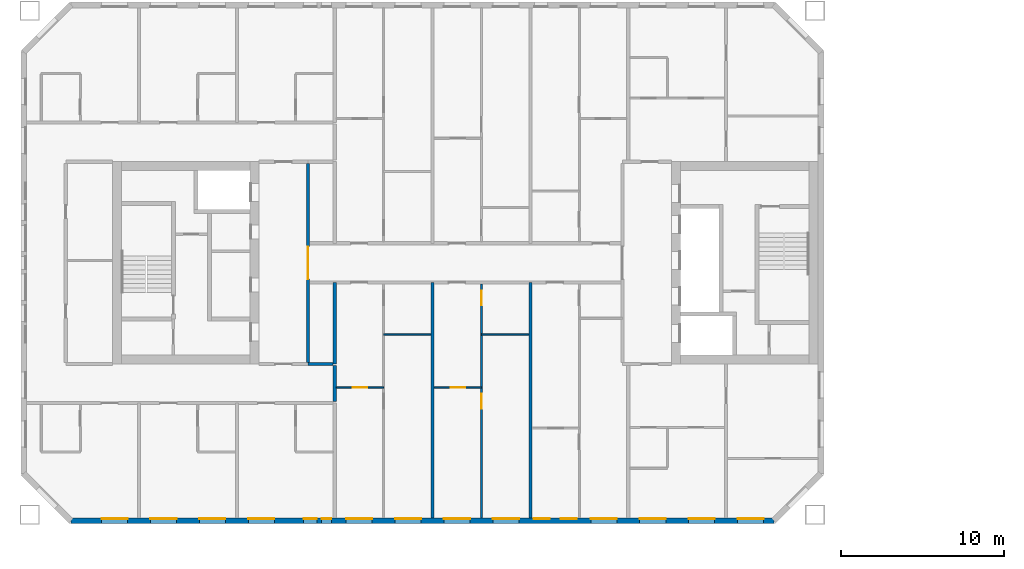
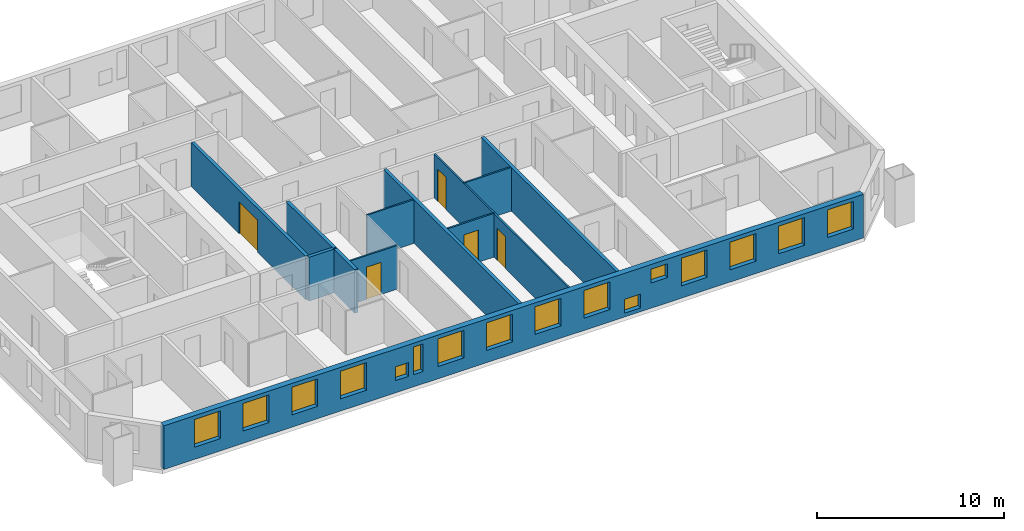
# One storey, part 4 of 16: 16 windows, 12 walls, 5 doors, 21 openings.
"""IFC4 building model written with IfcOpenShell, lengths in metres."""

from ifc_helpers import new_model, si_unit, direction, frame, frame_2d, origin, place, context, subcontext, project, spatial, rectangle, extrude, material, layer, layer_set, type_object, element, fill, save


model = new_model("IFC4")

# Units and contexts
model_context = context("Model", 3, precision=1e-05, world=origin(), true_north=direction((0.0, 1.0)))
body_context = subcontext(model_context, "Body", "Model", "MODEL_VIEW")
ifc_project = project(units=[si_unit("LENGTHUNIT", "METRE"), si_unit("AREAUNIT", "SQUARE_METRE"), si_unit("VOLUMEUNIT", "CUBIC_METRE"), si_unit("PLANEANGLEUNIT", "RADIAN"), si_unit("MASSUNIT", "GRAM", prefix="KILO")], contexts=[model_context])

# Site, building, storey
site_placement = place(None, origin())
site = spatial("IfcSite", under=ifc_project, at=site_placement, CompositionType="ELEMENT")
building_placement = place(site_placement, origin())
building = spatial("IfcBuilding", under=site, at=building_placement, Name="Tuart Gate Housing", CompositionType="ELEMENT")
storey_placement = place(building_placement, frame((0.0, 0.0, 133.0)))
storey = spatial("IfcBuildingStorey", under=building, at=storey_placement, Name="L37", CompositionType="ELEMENT", Elevation=133.0)

# Wall, openings, windows
ifc_material_1 = material(Name="Brick", Category="masonry")
ifc_layer_1 = layer(ifc_material_1, 0.360107421875)
ifc_layer_set_1 = layer_set([ifc_layer_1], Name="Brick pier and spandrel wall 360")
wall_type_1 = type_object("IfcWallType", Name="Brick pier and spandrel wall 360", PredefinedType="STANDARD", material=ifc_layer_set_1)
wall_1_placement = place(storey_placement, frame((29.82470703125, 54.179931640625, 0.0), z_axis=(0.0, 0.0, 1.0), x_axis=(1.0, 0.0, 0.0)))
wall_1 = element("IfcWall", 1, at=wall_1_placement, inside=storey, type_object=wall_type_1, Name="External wall A-S L37", PredefinedType="STANDARD", context=body_context, shape_type="SweptSolid", body=[
    extrude(rectangle(XDim=43.100830078125, YDim=0.360107421875, at=frame_2d((21.55029296875, 0.0))), origin(), (0.0, 0.0, 1.0), 2.85009765625),
])
opening_1_placement = place(wall_1_placement, frame((1.87548828125, 0.0, 0.800048828125)))
opening_1 = element("IfcOpeningElement", 2, at=opening_1_placement, cuts=wall_1, Name="Opening W1", PredefinedType="OPENING", context=body_context, shape_type="SweptSolid", body=[
    extrude(rectangle(XDim=1.60009765625, YDim=1.800048828125, at=frame_2d((0.800048828125, 0.89990234375))), frame((0.0, 0.18994140625, 0.0), z_axis=(0.0, -1.0, 0.0), x_axis=(1.0, 0.0, 0.0)), (0.0, 0.0, 1.0), 0.380126953125),
])
opening_2_placement = place(wall_1_placement, frame((4.87548828125, 0.0, 0.800048828125)))
opening_2 = element("IfcOpeningElement", 3, at=opening_2_placement, cuts=wall_1, Name="Opening W1", PredefinedType="OPENING", context=body_context, shape_type="SweptSolid", body=[
    extrude(rectangle(XDim=1.60009765625, YDim=1.800048828125, at=frame_2d((0.800048828125, 0.89990234375))), frame((0.0, 0.18994140625, 0.0), z_axis=(0.0, -1.0, 0.0), x_axis=(1.0, 0.0, 0.0)), (0.0, 0.0, 1.0), 0.380126953125),
])
opening_3_placement = place(wall_1_placement, frame((7.87548828125, 0.0, 0.800048828125)))
opening_3 = element("IfcOpeningElement", 4, at=opening_3_placement, cuts=wall_1, Name="Opening W1", PredefinedType="OPENING", context=body_context, shape_type="SweptSolid", body=[
    extrude(rectangle(XDim=1.60009765625, YDim=1.800048828125, at=frame_2d((0.800048828125, 0.89990234375))), frame((0.0, 0.18994140625, 0.0), z_axis=(0.0, -1.0, 0.0), x_axis=(1.0, 0.0, 0.0)), (0.0, 0.0, 1.0), 0.380126953125),
])
opening_4_placement = place(wall_1_placement, frame((10.87548828125, 0.0, 0.800048828125)))
opening_4 = element("IfcOpeningElement", 5, at=opening_4_placement, cuts=wall_1, Name="Opening W1", PredefinedType="OPENING", context=body_context, shape_type="SweptSolid", body=[
    extrude(rectangle(XDim=1.60009765625, YDim=1.800048828125, at=frame_2d((0.800048828125, 0.89990234375))), frame((0.0, 0.18994140625, 0.0), z_axis=(0.0, -1.0, 0.0), x_axis=(1.0, 0.0, 0.0)), (0.0, 0.0, 1.0), 0.380126953125),
])
opening_5_placement = place(wall_1_placement, frame((14.275390625, 0.0, 0.800048828125)))
opening_5 = element("IfcOpeningElement", 6, at=opening_5_placement, cuts=wall_1, Name="Opening W1V", PredefinedType="OPENING", context=body_context, shape_type="SweptSolid", body=[
    extrude(rectangle(XDim=0.800048828125, YDim=0.89990234375, at=frame_2d((0.39990234375, 0.449951171875))), frame((0.0, 0.18994140625, 0.0), z_axis=(0.0, -1.0, 0.0), x_axis=(1.0, 0.0, 0.0)), (0.0, 0.0, 1.0), 0.380126953125),
])
opening_6_placement = place(wall_1_placement, frame((16.87548828125, 0.0, 0.800048828125)))
opening_6 = element("IfcOpeningElement", 7, at=opening_6_placement, cuts=wall_1, Name="Opening W1", PredefinedType="OPENING", context=body_context, shape_type="SweptSolid", body=[
    extrude(rectangle(XDim=1.60009765625, YDim=1.800048828125, at=frame_2d((0.800048828125, 0.89990234375))), frame((0.0, 0.18994140625, 0.0), z_axis=(0.0, -1.0, 0.0), x_axis=(1.0, 0.0, 0.0)), (0.0, 0.0, 1.0), 0.380126953125),
])
opening_7_placement = place(wall_1_placement, frame((19.87548828125, 0.0, 0.800048828125)))
opening_7 = element("IfcOpeningElement", 8, at=opening_7_placement, cuts=wall_1, Name="Opening W1", PredefinedType="OPENING", context=body_context, shape_type="SweptSolid", body=[
    extrude(rectangle(XDim=1.60009765625, YDim=1.800048828125, at=frame_2d((0.800048828125, 0.89990234375))), frame((0.0, 0.18994140625, 0.0), z_axis=(0.0, -1.0, 0.0), x_axis=(1.0, 0.0, 0.0)), (0.0, 0.0, 1.0), 0.380126953125),
])
opening_8_placement = place(wall_1_placement, frame((22.87548828125, 0.0, 0.800048828125)))
opening_8 = element("IfcOpeningElement", 9, at=opening_8_placement, cuts=wall_1, Name="Opening W1", PredefinedType="OPENING", context=body_context, shape_type="SweptSolid", body=[
    extrude(rectangle(XDim=1.60009765625, YDim=1.800048828125, at=frame_2d((0.800048828125, 0.89990234375))), frame((0.0, 0.18994140625, 0.0), z_axis=(0.0, -1.0, 0.0), x_axis=(1.0, 0.0, 0.0)), (0.0, 0.0, 1.0), 0.380126953125),
])
opening_9_placement = place(wall_1_placement, frame((25.87548828125, 0.0, 0.800048828125)))
opening_9 = element("IfcOpeningElement", 10, at=opening_9_placement, cuts=wall_1, Name="Opening W1", PredefinedType="OPENING", context=body_context, shape_type="SweptSolid", body=[
    extrude(rectangle(XDim=1.60009765625, YDim=1.800048828125, at=frame_2d((0.800048828125, 0.89990234375))), frame((0.0, 0.18994140625, 0.0), z_axis=(0.0, -1.0, 0.0), x_axis=(1.0, 0.0, 0.0)), (0.0, 0.0, 1.0), 0.380126953125),
])
opening_10_placement = place(wall_1_placement, frame((28.37548828125, 0.0, 0.25)))
opening_10 = element("IfcOpeningElement", 11, at=opening_10_placement, cuts=wall_1, Name="Opening W1U", PredefinedType="OPENING", context=body_context, shape_type="SweptSolid", body=[
    extrude(rectangle(XDim=1.0, YDim=0.89990234375, at=frame_2d((0.5, 0.449951171875))), frame((0.0, 0.18994140625, 0.0), z_axis=(0.0, -1.0, 0.0), x_axis=(1.0, 0.0, 0.0)), (0.0, 0.0, 1.0), 0.380126953125),
])
opening_11_placement = place(wall_1_placement, frame((31.87548828125, 0.0, 0.800048828125)))
opening_11 = element("IfcOpeningElement", 12, at=opening_11_placement, cuts=wall_1, Name="Opening W1", PredefinedType="OPENING", context=body_context, shape_type="SweptSolid", body=[
    extrude(rectangle(XDim=1.60009765625, YDim=1.800048828125, at=frame_2d((0.800048828125, 0.89990234375))), frame((0.0, 0.18994140625, 0.0), z_axis=(0.0, -1.0, 0.0), x_axis=(1.0, 0.0, 0.0)), (0.0, 0.0, 1.0), 0.380126953125),
])
opening_12_placement = place(wall_1_placement, frame((34.87548828125, 0.0, 0.800048828125)))
opening_12 = element("IfcOpeningElement", 13, at=opening_12_placement, cuts=wall_1, Name="Opening W1", PredefinedType="OPENING", context=body_context, shape_type="SweptSolid", body=[
    extrude(rectangle(XDim=1.60009765625, YDim=1.800048828125, at=frame_2d((0.800048828125, 0.89990234375))), frame((0.0, 0.18994140625, 0.0), z_axis=(0.0, -1.0, 0.0), x_axis=(1.0, 0.0, 0.0)), (0.0, 0.0, 1.0), 0.380126953125),
])
opening_13_placement = place(wall_1_placement, frame((37.87548828125, 0.0, 0.800048828125)))
opening_13 = element("IfcOpeningElement", 14, at=opening_13_placement, cuts=wall_1, Name="Opening W1", PredefinedType="OPENING", context=body_context, shape_type="SweptSolid", body=[
    extrude(rectangle(XDim=1.60009765625, YDim=1.800048828125, at=frame_2d((0.800048828125, 0.89990234375))), frame((0.0, 0.18994140625, 0.0), z_axis=(0.0, -1.0, 0.0), x_axis=(1.0, 0.0, 0.0)), (0.0, 0.0, 1.0), 0.380126953125),
])
opening_14_placement = place(wall_1_placement, frame((40.87548828125, 0.0, 0.800048828125)))
opening_14 = element("IfcOpeningElement", 15, at=opening_14_placement, cuts=wall_1, Name="Opening W1", PredefinedType="OPENING", context=body_context, shape_type="SweptSolid", body=[
    extrude(rectangle(XDim=1.60009765625, YDim=1.800048828125, at=frame_2d((0.800048828125, 0.89990234375))), frame((0.0, 0.18994140625, 0.0), z_axis=(0.0, -1.0, 0.0), x_axis=(1.0, 0.0, 0.0)), (0.0, 0.0, 1.0), 0.380126953125),
])
opening_15_placement = place(wall_1_placement, frame((15.37548828125, 0.0, 0.800048828125)))
opening_15 = element("IfcOpeningElement", 16, at=opening_15_placement, cuts=wall_1, Name="Opening W1E", PredefinedType="OPENING", context=body_context, shape_type="SweptSolid", body=[
    extrude(rectangle(XDim=0.60009765625, YDim=1.800048828125, at=frame_2d((0.300048828125, 0.89990234375))), frame((0.0, 0.18994140625, 0.0), z_axis=(0.0, -1.0, 0.0), x_axis=(1.0, 0.0, 0.0)), (0.0, 0.0, 1.0), 0.380126953125),
])
opening_16_placement = place(wall_1_placement, frame((30.025390625, 0.0, 1.64990234375)))
opening_16 = element("IfcOpeningElement", 17, at=opening_16_placement, cuts=wall_1, Name="Opening W1U", PredefinedType="OPENING", context=body_context, shape_type="SweptSolid", body=[
    extrude(rectangle(XDim=1.0, YDim=0.89990234375, at=frame_2d((0.5, 0.449951171875))), frame((0.0, 0.18994140625, 0.0), z_axis=(0.0, -1.0, 0.0), x_axis=(1.0, 0.0, 0.0)), (0.0, 0.0, 1.0), 0.380126953125),
])
ifc_material_2 = material(Name="Aluminium frame with clear glass", Category="aluminium")
window_type_1 = type_object("IfcWindowType", Name="Punched window 1000 x 900", PartitioningType="SINGLE_PANEL", PredefinedType="WINDOW", material=ifc_material_2)
window_1_placement = place(opening_10_placement, origin())
window_1 = element("IfcWindow", 18, at=window_1_placement, inside=storey, type_object=window_type_1, Name="Window W1U", OverallHeight=0.89990234375, OverallWidth=1.0, PartitioningType="SINGLE_PANEL", PredefinedType="WINDOW", context=body_context, shape_type="SweptSolid", body=[
    extrude(rectangle(XDim=1.0, YDim=0.89990234375, at=frame_2d((0.5, 0.449951171875))), frame((0.0, 0.150146484375, 0.0), z_axis=(0.0, -1.0, 0.0), x_axis=(1.0, 0.0, 0.0)), (0.0, 0.0, 1.0), 0.06005859375),
])
fill(opening_10, window_1)
window_2_placement = place(opening_16_placement, origin())
window_2 = element("IfcWindow", 19, at=window_2_placement, inside=storey, type_object=window_type_1, Name="Window W1U", OverallHeight=0.89990234375, OverallWidth=1.0, PartitioningType="SINGLE_PANEL", PredefinedType="WINDOW", context=body_context, shape_type="SweptSolid", body=[
    extrude(rectangle(XDim=1.0, YDim=0.89990234375, at=frame_2d((0.5, 0.449951171875))), frame((0.0, 0.150146484375, 0.0), z_axis=(0.0, -1.0, 0.0), x_axis=(1.0, 0.0, 0.0)), (0.0, 0.0, 1.0), 0.06005859375),
])
fill(opening_16, window_2)
ifc_material_3 = material(Name="Aluminium frame with clear glass", Category="aluminium")
window_type_2 = type_object("IfcWindowType", Name="Punched window 1600 x 1800", PartitioningType="SINGLE_PANEL", PredefinedType="WINDOW", material=ifc_material_3)
window_3_placement = place(opening_1_placement, origin())
window_3 = element("IfcWindow", 20, at=window_3_placement, inside=storey, type_object=window_type_2, Name="Window W1", OverallHeight=1.800048828125, OverallWidth=1.60009765625, PartitioningType="SINGLE_PANEL", PredefinedType="WINDOW", context=body_context, shape_type="SweptSolid", body=[
    extrude(rectangle(XDim=1.60009765625, YDim=1.800048828125, at=frame_2d((0.800048828125, 0.89990234375))), frame((0.0, 0.150146484375, 0.0), z_axis=(0.0, -1.0, 0.0), x_axis=(1.0, 0.0, 0.0)), (0.0, 0.0, 1.0), 0.06005859375),
])
fill(opening_1, window_3)
window_4_placement = place(opening_2_placement, origin())
window_4 = element("IfcWindow", 21, at=window_4_placement, inside=storey, type_object=window_type_2, Name="Window W1", OverallHeight=1.800048828125, OverallWidth=1.60009765625, PartitioningType="SINGLE_PANEL", PredefinedType="WINDOW", context=body_context, shape_type="SweptSolid", body=[
    extrude(rectangle(XDim=1.60009765625, YDim=1.800048828125, at=frame_2d((0.800048828125, 0.89990234375))), frame((0.0, 0.150146484375, 0.0), z_axis=(0.0, -1.0, 0.0), x_axis=(1.0, 0.0, 0.0)), (0.0, 0.0, 1.0), 0.06005859375),
])
fill(opening_2, window_4)
window_5_placement = place(opening_3_placement, origin())
window_5 = element("IfcWindow", 22, at=window_5_placement, inside=storey, type_object=window_type_2, Name="Window W1", OverallHeight=1.800048828125, OverallWidth=1.60009765625, PartitioningType="SINGLE_PANEL", PredefinedType="WINDOW", context=body_context, shape_type="SweptSolid", body=[
    extrude(rectangle(XDim=1.60009765625, YDim=1.800048828125, at=frame_2d((0.800048828125, 0.89990234375))), frame((0.0, 0.150146484375, 0.0), z_axis=(0.0, -1.0, 0.0), x_axis=(1.0, 0.0, 0.0)), (0.0, 0.0, 1.0), 0.06005859375),
])
fill(opening_3, window_5)
window_6_placement = place(opening_4_placement, origin())
window_6 = element("IfcWindow", 23, at=window_6_placement, inside=storey, type_object=window_type_2, Name="Window W1", OverallHeight=1.800048828125, OverallWidth=1.60009765625, PartitioningType="SINGLE_PANEL", PredefinedType="WINDOW", context=body_context, shape_type="SweptSolid", body=[
    extrude(rectangle(XDim=1.60009765625, YDim=1.800048828125, at=frame_2d((0.800048828125, 0.89990234375))), frame((0.0, 0.150146484375, 0.0), z_axis=(0.0, -1.0, 0.0), x_axis=(1.0, 0.0, 0.0)), (0.0, 0.0, 1.0), 0.06005859375),
])
fill(opening_4, window_6)
window_7_placement = place(opening_6_placement, origin())
window_7 = element("IfcWindow", 24, at=window_7_placement, inside=storey, type_object=window_type_2, Name="Window W1", OverallHeight=1.800048828125, OverallWidth=1.60009765625, PartitioningType="SINGLE_PANEL", PredefinedType="WINDOW", context=body_context, shape_type="SweptSolid", body=[
    extrude(rectangle(XDim=1.60009765625, YDim=1.800048828125, at=frame_2d((0.800048828125, 0.89990234375))), frame((0.0, 0.150146484375, 0.0), z_axis=(0.0, -1.0, 0.0), x_axis=(1.0, 0.0, 0.0)), (0.0, 0.0, 1.0), 0.06005859375),
])
fill(opening_6, window_7)
window_8_placement = place(opening_7_placement, origin())
window_8 = element("IfcWindow", 25, at=window_8_placement, inside=storey, type_object=window_type_2, Name="Window W1", OverallHeight=1.800048828125, OverallWidth=1.60009765625, PartitioningType="SINGLE_PANEL", PredefinedType="WINDOW", context=body_context, shape_type="SweptSolid", body=[
    extrude(rectangle(XDim=1.60009765625, YDim=1.800048828125, at=frame_2d((0.800048828125, 0.89990234375))), frame((0.0, 0.150146484375, 0.0), z_axis=(0.0, -1.0, 0.0), x_axis=(1.0, 0.0, 0.0)), (0.0, 0.0, 1.0), 0.06005859375),
])
fill(opening_7, window_8)
window_9_placement = place(opening_8_placement, origin())
window_9 = element("IfcWindow", 26, at=window_9_placement, inside=storey, type_object=window_type_2, Name="Window W1", OverallHeight=1.800048828125, OverallWidth=1.60009765625, PartitioningType="SINGLE_PANEL", PredefinedType="WINDOW", context=body_context, shape_type="SweptSolid", body=[
    extrude(rectangle(XDim=1.60009765625, YDim=1.800048828125, at=frame_2d((0.800048828125, 0.89990234375))), frame((0.0, 0.150146484375, 0.0), z_axis=(0.0, -1.0, 0.0), x_axis=(1.0, 0.0, 0.0)), (0.0, 0.0, 1.0), 0.06005859375),
])
fill(opening_8, window_9)
window_10_placement = place(opening_9_placement, origin())
window_10 = element("IfcWindow", 27, at=window_10_placement, inside=storey, type_object=window_type_2, Name="Window W1", OverallHeight=1.800048828125, OverallWidth=1.60009765625, PartitioningType="SINGLE_PANEL", PredefinedType="WINDOW", context=body_context, shape_type="SweptSolid", body=[
    extrude(rectangle(XDim=1.60009765625, YDim=1.800048828125, at=frame_2d((0.800048828125, 0.89990234375))), frame((0.0, 0.150146484375, 0.0), z_axis=(0.0, -1.0, 0.0), x_axis=(1.0, 0.0, 0.0)), (0.0, 0.0, 1.0), 0.06005859375),
])
fill(opening_9, window_10)
window_11_placement = place(opening_11_placement, origin())
window_11 = element("IfcWindow", 28, at=window_11_placement, inside=storey, type_object=window_type_2, Name="Window W1", OverallHeight=1.800048828125, OverallWidth=1.60009765625, PartitioningType="SINGLE_PANEL", PredefinedType="WINDOW", context=body_context, shape_type="SweptSolid", body=[
    extrude(rectangle(XDim=1.60009765625, YDim=1.800048828125, at=frame_2d((0.800048828125, 0.89990234375))), frame((0.0, 0.150146484375, 0.0), z_axis=(0.0, -1.0, 0.0), x_axis=(1.0, 0.0, 0.0)), (0.0, 0.0, 1.0), 0.06005859375),
])
fill(opening_11, window_11)
window_12_placement = place(opening_12_placement, origin())
window_12 = element("IfcWindow", 29, at=window_12_placement, inside=storey, type_object=window_type_2, Name="Window W1", OverallHeight=1.800048828125, OverallWidth=1.60009765625, PartitioningType="SINGLE_PANEL", PredefinedType="WINDOW", context=body_context, shape_type="SweptSolid", body=[
    extrude(rectangle(XDim=1.60009765625, YDim=1.800048828125, at=frame_2d((0.800048828125, 0.89990234375))), frame((0.0, 0.150146484375, 0.0), z_axis=(0.0, -1.0, 0.0), x_axis=(1.0, 0.0, 0.0)), (0.0, 0.0, 1.0), 0.06005859375),
])
fill(opening_12, window_12)
window_13_placement = place(opening_13_placement, origin())
window_13 = element("IfcWindow", 30, at=window_13_placement, inside=storey, type_object=window_type_2, Name="Window W1", OverallHeight=1.800048828125, OverallWidth=1.60009765625, PartitioningType="SINGLE_PANEL", PredefinedType="WINDOW", context=body_context, shape_type="SweptSolid", body=[
    extrude(rectangle(XDim=1.60009765625, YDim=1.800048828125, at=frame_2d((0.800048828125, 0.89990234375))), frame((0.0, 0.150146484375, 0.0), z_axis=(0.0, -1.0, 0.0), x_axis=(1.0, 0.0, 0.0)), (0.0, 0.0, 1.0), 0.06005859375),
])
fill(opening_13, window_13)
window_14_placement = place(opening_14_placement, origin())
window_14 = element("IfcWindow", 31, at=window_14_placement, inside=storey, type_object=window_type_2, Name="Window W1", OverallHeight=1.800048828125, OverallWidth=1.60009765625, PartitioningType="SINGLE_PANEL", PredefinedType="WINDOW", context=body_context, shape_type="SweptSolid", body=[
    extrude(rectangle(XDim=1.60009765625, YDim=1.800048828125, at=frame_2d((0.800048828125, 0.89990234375))), frame((0.0, 0.150146484375, 0.0), z_axis=(0.0, -1.0, 0.0), x_axis=(1.0, 0.0, 0.0)), (0.0, 0.0, 1.0), 0.06005859375),
])
fill(opening_14, window_14)
ifc_material_4 = material(Name="Aluminium frame with clear glass", Category="aluminium")
window_type_3 = type_object("IfcWindowType", Name="Punched window 600 x 1800", PartitioningType="SINGLE_PANEL", PredefinedType="WINDOW", material=ifc_material_4)
window_15_placement = place(opening_15_placement, origin())
window_15 = element("IfcWindow", 32, at=window_15_placement, inside=storey, type_object=window_type_3, Name="Window W1E", OverallHeight=1.800048828125, OverallWidth=0.60009765625, PartitioningType="SINGLE_PANEL", PredefinedType="WINDOW", context=body_context, shape_type="SweptSolid", body=[
    extrude(rectangle(XDim=0.60009765625, YDim=1.800048828125, at=frame_2d((0.300048828125, 0.89990234375))), frame((0.0, 0.150146484375, 0.0), z_axis=(0.0, -1.0, 0.0), x_axis=(1.0, 0.0, 0.0)), (0.0, 0.0, 1.0), 0.06005859375),
])
fill(opening_15, window_15)
ifc_material_5 = material(Name="Aluminium frame with clear glass", Category="aluminium")
window_type_4 = type_object("IfcWindowType", Name="Punched window 800 x 900", PartitioningType="SINGLE_PANEL", PredefinedType="WINDOW", material=ifc_material_5)
window_16_placement = place(opening_5_placement, origin())
window_16 = element("IfcWindow", 33, at=window_16_placement, inside=storey, type_object=window_type_4, Name="Window W1V", OverallHeight=0.89990234375, OverallWidth=0.800048828125, PartitioningType="SINGLE_PANEL", PredefinedType="WINDOW", context=body_context, shape_type="SweptSolid", body=[
    extrude(rectangle(XDim=0.800048828125, YDim=0.89990234375, at=frame_2d((0.39990234375, 0.449951171875))), frame((0.0, 0.150146484375, 0.0), z_axis=(0.0, -1.0, 0.0), x_axis=(1.0, 0.0, 0.0)), (0.0, 0.0, 1.0), 0.06005859375),
])
fill(opening_5, window_16)

# Walls
ifc_material_6 = material(Name="Concrete masonry 15 MPa", Category="masonry")
ifc_layer_2 = layer(ifc_material_6, 0.199951171875)
ifc_layer_set_2 = layer_set([ifc_layer_2], Name="Corridor wall masonry 200")
wall_type_2 = type_object("IfcWallType", Name="Corridor wall masonry 200", PredefinedType="PARTITIONING", material=ifc_layer_set_2)
wall_2_placement = place(storey_placement, frame((44.360107421875, 63.800048828125, 0.0), z_axis=(0.0, 0.0, 1.0), x_axis=(1.0, 0.0, 0.0)))
element("IfcWall", 34, at=wall_2_placement, inside=storey, type_object=wall_type_2, Name="Corridor wall masonry 200", PredefinedType="PARTITIONING", context=body_context, shape_type="SweptSolid", body=[
    extrude(rectangle(XDim=1.539794921875, YDim=0.199951171875, at=frame_2d((0.77001953125, 0.0))), origin(), (0.0, 0.0, 1.0), 2.85009765625),
])
wall_3_placement = place(storey_placement, frame((46.0, 61.5, 0.0), z_axis=(0.0, 0.0, 1.0), x_axis=(0.0, 1.0, 0.0)))
element("IfcWall", 35, at=wall_3_placement, inside=storey, type_object=wall_type_2, Name="Corridor wall masonry 200", PredefinedType="PARTITIONING", context=body_context, shape_type="SweptSolid", body=[
    extrude(rectangle(XDim=2.199951171875, YDim=0.199951171875, at=frame_2d((1.10009765625, 0.0))), origin(), (0.0, 0.0, 1.0), 2.85009765625),
])

# Wall, opening, door
ifc_material_7 = material(Name="Plasterboard partition")
ifc_layer_3 = layer(ifc_material_7, 0.199951171875)
ifc_layer_set_3 = layer_set([ifc_layer_3], Name="Lobby wall 200")
wall_type_3 = type_object("IfcWallType", Name="Lobby wall 200", PredefinedType="PARTITIONING", material=ifc_layer_set_3)
wall_4_placement = place(storey_placement, frame((44.360107421875, 63.89990234375, 0.0), z_axis=(0.0, 0.0, 1.0), x_axis=(0.0, 1.0, 0.0)))
wall_4 = element("IfcWall", 36, at=wall_4_placement, inside=storey, type_object=wall_type_3, Name="Lift lobby wall AK", PredefinedType="PARTITIONING", context=body_context, shape_type="SweptSolid", body=[
    extrude(rectangle(XDim=12.2001953125, YDim=0.199951171875, at=frame_2d((6.10009765625, 0.0))), origin(), (0.0, 0.0, 1.0), 2.85009765625),
])
opening_17_placement = place(wall_4_placement, frame((5.10009765625, 0.0, 0.0)))
opening_17 = element("IfcOpeningElement", 37, at=opening_17_placement, cuts=wall_4, Name="Opening D1434", PredefinedType="OPENING", context=body_context, shape_type="SweptSolid", body=[
    extrude(rectangle(XDim=2.0, YDim=2.10009765625, at=frame_2d((1.0, 1.050048828125))), frame((0.0, 0.10986328125, 0.0), z_axis=(0.0, -1.0, 0.0), x_axis=(1.0, 0.0, 0.0)), (0.0, 0.0, 1.0), 0.219970703125),
])
ifc_material_8 = material(Name="Steel fire door", Category="steel")
door_type_1 = type_object("IfcDoorType", Name="Smoke door 2000 x 2100", OperationType="DOUBLE_DOOR_SINGLE_SWING", PredefinedType="DOOR", material=ifc_material_8)
door_1_placement = place(opening_17_placement, origin())
door_1 = element("IfcDoor", 38, at=door_1_placement, inside=storey, type_object=door_type_1, Name="Lift lobby smoke door AK", OperationType="DOUBLE_DOOR_SINGLE_SWING", OverallHeight=2.10009765625, OverallWidth=2.0, PredefinedType="DOOR", context=body_context, shape_type="SweptSolid", body=[
    extrude(rectangle(XDim=2.0, YDim=2.10009765625, at=frame_2d((1.0, 1.050048828125))), frame((0.0, 0.02490234375, 0.0), z_axis=(0.0, -1.0, 0.0), x_axis=(1.0, 0.0, 0.0)), (0.0, 0.0, 1.0), 0.050048828125),
])
fill(opening_17, door_1)

ifc_material_9 = material(Name="Gypsum board on steel studs", Category="steel")
ifc_layer_4 = layer(ifc_material_9, 0.10009765625)
ifc_layer_set_4 = layer_set([ifc_layer_4], Name="Partition 100")
wall_type_4 = type_object("IfcWallType", Name="Partition 100", PredefinedType="PARTITIONING", material=ifc_layer_set_4)
wall_5_placement = place(storey_placement, frame((46.10009765625, 62.360107421875, 0.0), z_axis=(0.0, 0.0, 1.0), x_axis=(1.0, 0.0, 0.0)))
wall_5 = element("IfcWall", 39, at=wall_5_placement, inside=storey, type_object=wall_type_4, Name="Partition 100", PredefinedType="PARTITIONING", context=body_context, shape_type="SweptSolid", body=[
    extrude(rectangle(XDim=2.89990234375, YDim=0.10009765625, at=frame_2d((1.449951171875, 0.0))), origin(), (0.0, 0.0, 1.0), 2.85009765625),
])
opening_18_placement = place(wall_5_placement, frame((1.0, 0.0, 0.0)))
opening_18 = element("IfcOpeningElement", 40, at=opening_18_placement, cuts=wall_5, Name="Opening D1445", PredefinedType="OPENING", context=body_context, shape_type="SweptSolid", body=[
    extrude(rectangle(XDim=0.89990234375, YDim=2.10009765625, at=frame_2d((0.449951171875, 1.050048828125))), frame((0.0, 0.06005859375, 0.0), z_axis=(0.0, -1.0, 0.0), x_axis=(1.0, 0.0, 0.0)), (0.0, 0.0, 1.0), 0.1201171875),
])
ifc_material_10 = material(Name="Timber door leaf in steel frame", Category="steel")
door_type_2 = type_object("IfcDoorType", Name="Internal door 900 RH", OperationType="SINGLE_SWING_RIGHT", PredefinedType="DOOR", material=ifc_material_10)
door_2_placement = place(opening_18_placement, origin())
door_2 = element("IfcDoor", 41, at=door_2_placement, inside=storey, type_object=door_type_2, Name="Internal door", OperationType="SINGLE_SWING_RIGHT", OverallHeight=2.10009765625, OverallWidth=0.89990234375, PredefinedType="DOOR", context=body_context, shape_type="SweptSolid", body=[
    extrude(rectangle(XDim=0.89990234375, YDim=2.10009765625, at=frame_2d((0.449951171875, 1.050048828125))), frame((0.0, 0.02490234375, 0.0), z_axis=(0.0, -1.0, 0.0), x_axis=(1.0, 0.0, 0.0)), (0.0, 0.0, 1.0), 0.050048828125),
])
fill(opening_18, door_2)

wall_6_placement = place(storey_placement, frame((52.10009765625, 62.360107421875, 0.0), z_axis=(0.0, 0.0, 1.0), x_axis=(1.0, 0.0, 0.0)))
wall_6 = element("IfcWall", 42, at=wall_6_placement, inside=storey, type_object=wall_type_4, Name="Partition 100", PredefinedType="PARTITIONING", context=body_context, shape_type="SweptSolid", body=[
    extrude(rectangle(XDim=2.89990234375, YDim=0.10009765625, at=frame_2d((1.449951171875, 0.0))), origin(), (0.0, 0.0, 1.0), 2.85009765625),
])
opening_19_placement = place(wall_6_placement, frame((1.0, 0.0, 0.0)))
opening_19 = element("IfcOpeningElement", 43, at=opening_19_placement, cuts=wall_6, Name="Opening D1446", PredefinedType="OPENING", context=body_context, shape_type="SweptSolid", body=[
    extrude(rectangle(XDim=0.89990234375, YDim=2.10009765625, at=frame_2d((0.449951171875, 1.050048828125))), frame((0.0, 0.06005859375, 0.0), z_axis=(0.0, -1.0, 0.0), x_axis=(1.0, 0.0, 0.0)), (0.0, 0.0, 1.0), 0.1201171875),
])
door_3_placement = place(opening_19_placement, origin())
door_3 = element("IfcDoor", 44, at=door_3_placement, inside=storey, type_object=door_type_2, Name="Internal door", OperationType="SINGLE_SWING_RIGHT", OverallHeight=2.10009765625, OverallWidth=0.89990234375, PredefinedType="DOOR", context=body_context, shape_type="SweptSolid", body=[
    extrude(rectangle(XDim=0.89990234375, YDim=2.10009765625, at=frame_2d((0.449951171875, 1.050048828125))), frame((0.0, 0.02490234375, 0.0), z_axis=(0.0, -1.0, 0.0), x_axis=(1.0, 0.0, 0.0)), (0.0, 0.0, 1.0), 0.050048828125),
])
fill(opening_19, door_3)

# Walls
for number, where, z_axis, x_axis, name in (
    (45, (49.0, 65.60009765625, 0.0), (0.0, 0.0, 1.0), (1.0, 0.0, 0.0), "Partition 100"),
    (46, (55.0, 65.60009765625, 0.0), (0.0, 0.0, 1.0), (1.0, 0.0, 0.0), "Partition 100"),
):
    element("IfcWall", number, at=place(storey_placement, frame(where, z_axis=z_axis, x_axis=x_axis)), inside=storey, type_object=wall_type_4, Name=name, PredefinedType="PARTITIONING", context=body_context, shape_type="SweptSolid", body=[
        extrude(rectangle(XDim=2.89990234375, YDim=0.10009765625, at=frame_2d((1.449951171875, 0.0))), origin(), (0.0, 0.0, 1.0), 2.85009765625),
    ])

# Wall, openings, doors
wall_7_placement = place(storey_placement, frame((55.0, 54.360107421875, 0.0), z_axis=(0.0, 0.0, 1.0), x_axis=(0.0, 1.0, 0.0)))
wall_7 = element("IfcWall", 47, at=wall_7_placement, inside=storey, type_object=wall_type_4, Name="Partition 100", PredefinedType="PARTITIONING", context=body_context, shape_type="SweptSolid", body=[
    extrude(rectangle(XDim=14.33984375, YDim=0.10009765625, at=frame_2d((7.169921875, 0.0))), origin(), (0.0, 0.0, 1.0), 2.85009765625),
])
opening_20_placement = place(wall_7_placement, frame((6.699951171875, 0.0, 0.0)))
opening_20 = element("IfcOpeningElement", 48, at=opening_20_placement, cuts=wall_7, Name="Opening D1450", PredefinedType="OPENING", context=body_context, shape_type="SweptSolid", body=[
    extrude(rectangle(XDim=0.89990234375, YDim=2.10009765625, at=frame_2d((0.449951171875, 1.050048828125))), frame((0.0, 0.06005859375, 0.0), z_axis=(0.0, -1.0, 0.0), x_axis=(1.0, 0.0, 0.0)), (0.0, 0.0, 1.0), 0.1201171875),
])
opening_21_placement = place(wall_7_placement, frame((13.0400390625, 0.0, 0.0)))
opening_21 = element("IfcOpeningElement", 49, at=opening_21_placement, cuts=wall_7, Name="Opening D1449", PredefinedType="OPENING", context=body_context, shape_type="SweptSolid", body=[
    extrude(rectangle(XDim=0.89990234375, YDim=2.10009765625, at=frame_2d((0.449951171875, 1.050048828125))), frame((0.0, 0.06005859375, 0.0), z_axis=(0.0, -1.0, 0.0), x_axis=(1.0, 0.0, 0.0)), (0.0, 0.0, 1.0), 0.1201171875),
])
ifc_material_11 = material(Name="Timber door leaf in steel frame", Category="steel")
door_type_3 = type_object("IfcDoorType", Name="Bathroom door 900", OperationType="SINGLE_SWING_LEFT", PredefinedType="DOOR", material=ifc_material_11)
door_4_placement = place(opening_21_placement, frame((0.89990234375, 0.0, 0.0), z_axis=(0.0, 0.0, 1.0), x_axis=(-1.0, 0.0, 0.0)))
door_4 = element("IfcDoor", 50, at=door_4_placement, inside=storey, type_object=door_type_3, Name="Bathroom door", OperationType="SINGLE_SWING_LEFT", OverallHeight=2.10009765625, OverallWidth=0.89990234375, PredefinedType="DOOR", context=body_context, shape_type="SweptSolid", body=[
    extrude(rectangle(XDim=0.89990234375, YDim=2.10009765625, at=frame_2d((0.449951171875, 1.050048828125))), frame((0.0, 0.025146484375, 0.0), z_axis=(0.0, -1.0, 0.0), x_axis=(1.0, 0.0, 0.0)), (0.0, 0.0, 1.0), 0.050048828125),
])
fill(opening_21, door_4)
ifc_material_12 = material(Name="Timber door leaf in steel frame", Category="steel")
door_type_4 = type_object("IfcDoorType", Name="Internal door 900", OperationType="SINGLE_SWING_LEFT", PredefinedType="DOOR", material=ifc_material_12)
door_5_placement = place(opening_20_placement, frame((0.89990234375, 0.0, 0.0), z_axis=(0.0, 0.0, 1.0), x_axis=(-1.0, 0.0, 0.0)))
door_5 = element("IfcDoor", 51, at=door_5_placement, inside=storey, type_object=door_type_4, Name="Internal door", OperationType="SINGLE_SWING_LEFT", OverallHeight=2.10009765625, OverallWidth=0.89990234375, PredefinedType="DOOR", context=body_context, shape_type="SweptSolid", body=[
    extrude(rectangle(XDim=0.89990234375, YDim=2.10009765625, at=frame_2d((0.449951171875, 1.050048828125))), frame((0.0, 0.025146484375, 0.0), z_axis=(0.0, -1.0, 0.0), x_axis=(1.0, 0.0, 0.0)), (0.0, 0.0, 1.0), 0.050048828125),
])
fill(opening_20, door_5)

# Walls
ifc_material_13 = material(Name="Concrete C40", Category="concrete")
ifc_layer_5 = layer(ifc_material_13, 0.199951171875)
ifc_layer_set_5 = layer_set([ifc_layer_5], Name="Party wall concrete C40 200")
wall_type_5 = type_object("IfcWallType", Name="Party wall concrete C40 200", PredefinedType="SOLIDWALL", material=ifc_layer_set_5)
wall_8_placement = place(storey_placement, frame((46.0, 63.800048828125, 0.0), z_axis=(0.0, 0.0, 1.0), x_axis=(0.0, 1.0, 0.0)))
element("IfcWall", 52, at=wall_8_placement, inside=storey, type_object=wall_type_5, Name="Party wall concrete C40 200", PredefinedType="SOLIDWALL", context=body_context, shape_type="SweptSolid", body=[
    extrude(rectangle(XDim=5.0, YDim=0.199951171875, at=frame_2d((2.5, 0.0))), origin(), (0.0, 0.0, 1.0), 2.85009765625),
])
for number, where, z_axis, x_axis, name in (
    (53, (52.0, 54.360107421875, 0.0), (0.0, 0.0, 1.0), (0.0, 1.0, 0.0), "Party wall concrete C40 200"),
    (54, (58.0, 54.360107421875, 0.0), (0.0, 0.0, 1.0), (0.0, 1.0, 0.0), "Party wall concrete C40 200"),
):
    element("IfcWall", number, at=place(storey_placement, frame(where, z_axis=z_axis, x_axis=x_axis)), inside=storey, type_object=wall_type_5, Name=name, PredefinedType="SOLIDWALL", context=body_context, shape_type="SweptSolid", body=[
        extrude(rectangle(XDim=14.43994140625, YDim=0.199951171875, at=frame_2d((7.219970703125, 0.0))), origin(), (0.0, 0.0, 1.0), 2.85009765625),
    ])

save(model, "model.ifc")
